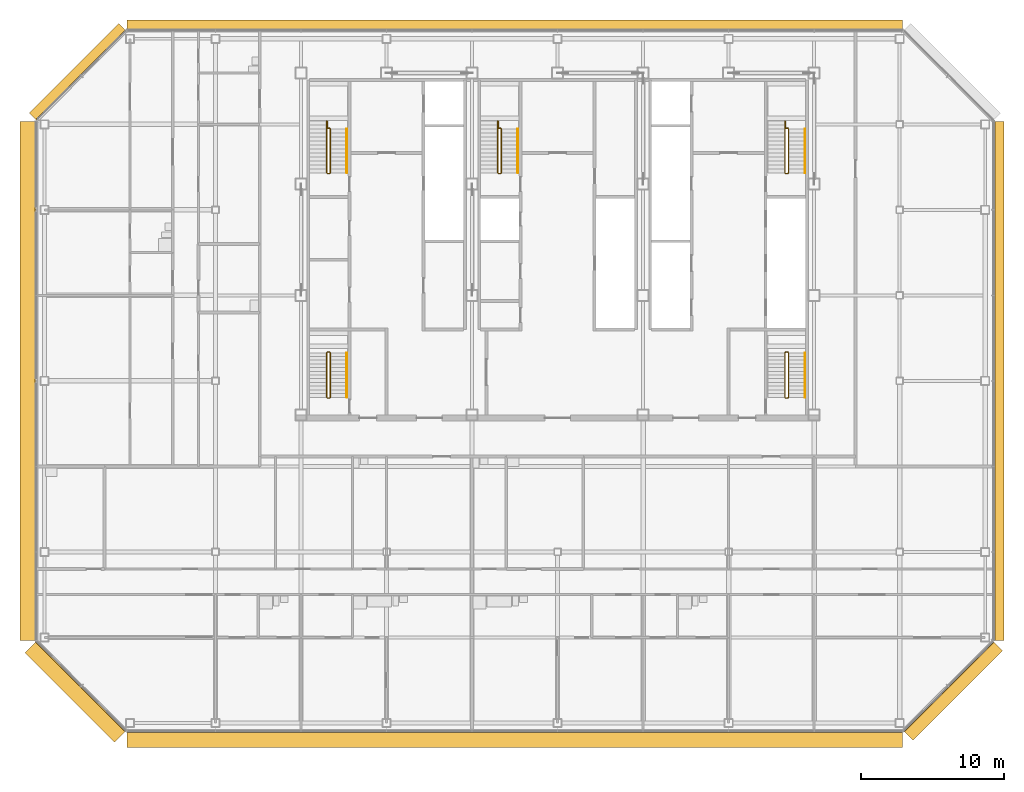
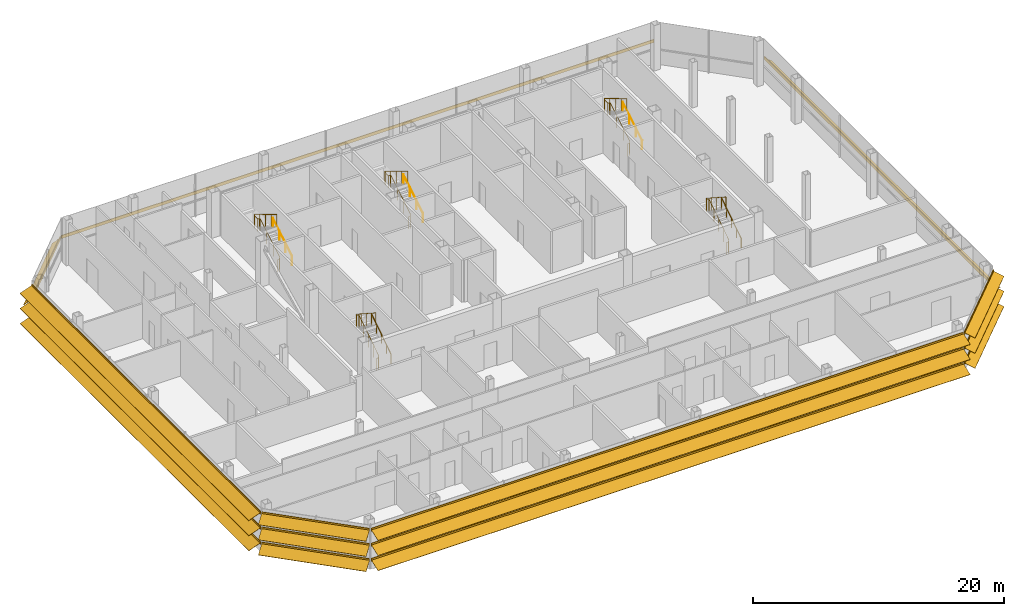
# One storey, part 27 of 29: 10 railings, 7 shading devices.
"""IFC4 building model written with IfcOpenShell, lengths in metres."""

from ifc_helpers import new_model, si_unit, direction, frame, origin, origin_2d, place, context, subcontext, project, spatial, polyline, circle, outline, composite_profile, extrude, material, type_object, element, save


model = new_model("IFC4")

# Units and contexts
model_context = context("Model", 3, precision=1e-05, world=origin(), true_north=direction((0.0, 1.0)))
body_context = subcontext(model_context, "Body", "Model", "MODEL_VIEW")
ifc_project = project(units=[si_unit("LENGTHUNIT", "METRE"), si_unit("AREAUNIT", "SQUARE_METRE"), si_unit("VOLUMEUNIT", "CUBIC_METRE"), si_unit("PLANEANGLEUNIT", "RADIAN"), si_unit("MASSUNIT", "GRAM", prefix="KILO")], contexts=[model_context])

# Site, building, storey
site_placement = place(None, origin())
site = spatial("IfcSite", under=ifc_project, at=site_placement, CompositionType="ELEMENT")
building_placement = place(site_placement, origin())
building = spatial("IfcBuilding", under=site, at=building_placement, Name="Sorahane Residences", CompositionType="ELEMENT")
storey_placement = place(building_placement, frame((0.0, 0.0, 277.39990234375)))
storey = spatial("IfcBuildingStorey", under=building, at=storey_placement, Name="L66", CompositionType="ELEMENT", Elevation=277.39990234375)

# Shading devices
ifc_material_1 = material(Name="Terracotta anodised aluminium", Category="masonry")
shading_device_type_1 = type_object("IfcShadingDeviceType", Name="Louvre sunshade blade E terracotta aluminium 700", PredefinedType="JALOUSIE", material=ifc_material_1)
shading_device_1_placement = place(storey_placement, frame((54.60009765625, 5.801513671875, 2.2001953125), z_axis=(0.0, 1.0, 0.0), x_axis=(-1.0, 0.0, 0.0)))
element("IfcShadingDevice", 1, at=shading_device_1_placement, inside=storey, type_object=shading_device_type_1, Name="Louvre sunshade blade bank E L66 E1", PredefinedType="JALOUSIE", context=body_context, shape_type="SweptSolid", body=[
    extrude(outline(polyline([(-0.719970703125, -0.49365234375), (-0.719970703125, -0.523681640625), (-0.080078125, -0.05859375), (-0.080078125, -0.14990234375), (-0.02001953125, -0.14990234375), (-0.02001953125, -0.014892578125), (-0.02001953125, 0.014892578125), (-0.02001953125, 0.14990234375), (-0.080078125, 0.14990234375), (-0.080078125, -0.028564453125), (-0.719970703125, -0.49365234375)])), origin(), (0.0, 0.0, 1.0), 36.39697265625),
])
ifc_material_2 = material(Name="Terracotta anodised aluminium", Category="masonry")
shading_device_type_2 = type_object("IfcShadingDeviceType", Name="Louvre sunshade blade N terracotta aluminium 700", PredefinedType="JALOUSIE", material=ifc_material_2)
shading_device_2_placement = place(storey_placement, frame((48.198486328125, 48.60009765625, 2.2001953125), z_axis=(-1.0, 0.0, 0.0), x_axis=(0.0, -1.0, 0.0)))
element("IfcShadingDevice", 2, at=shading_device_2_placement, inside=storey, type_object=shading_device_type_2, Name="Louvre sunshade blade bank N L66 N1", PredefinedType="JALOUSIE", context=body_context, shape_type="SweptSolid", body=[
    extrude(outline(polyline([(-0.719970703125, -0.660888671875), (-0.719970703125, -0.69091796875), (-0.080078125, -0.072998046875), (-0.080078125, -0.14990234375), (-0.02001953125, -0.14990234375), (-0.02001953125, -0.014892578125), (-0.02001953125, 0.014892578125), (-0.02001953125, 0.14990234375), (-0.080078125, 0.14990234375), (-0.080078125, -0.04296875), (-0.719970703125, -0.660888671875)])), origin(), (0.0, 0.0, 1.0), 54.39697265625),
])
ifc_material_3 = material(Name="Terracotta anodised aluminium", Category="masonry")
shading_device_type_3 = type_object("IfcShadingDeviceType", Name="Louvre sunshade blade NW terracotta aluminium 700", PredefinedType="JALOUSIE", material=ifc_material_3)
shading_device_3_placement = place(storey_placement, frame((-6.283935546875, 48.564697265625, 2.2001953125), z_axis=(-0.707106781187, -0.707106781187, 0.0), x_axis=(0.707106781187, -0.707106781187, 0.0)))
element("IfcShadingDevice", 3, at=shading_device_3_placement, inside=storey, type_object=shading_device_type_3, Name="Louvre sunshade blade bank NW L66 NW1", PredefinedType="JALOUSIE", context=body_context, shape_type="SweptSolid", body=[
    extrude(outline(polyline([(-0.719970703125, -0.660888671875), (-0.719970703125, -0.69091796875), (-0.080078125, -0.072998046875), (-0.080078125, -0.14990234375), (-0.02001953125, -0.14990234375), (-0.02001953125, -0.014892578125), (-0.02001953125, 0.014892578125), (-0.02001953125, 0.14990234375), (-0.080078125, 0.14990234375), (-0.080078125, -0.04296875), (-0.719970703125, -0.660888671875)])), origin(), (0.0, 0.0, 1.0), 8.88232421875),
])
ifc_material_4 = material(Name="Terracotta anodised aluminium", Category="masonry")
shading_device_type_4 = type_object("IfcShadingDeviceType", Name="Louvre sunshade blade S terracotta aluminium 1100", PredefinedType="JALOUSIE", material=ifc_material_4)
shading_device_4_placement = place(storey_placement, frame((-6.198486328125, -0.60009765625, 0.7333984375), z_axis=(1.0, 0.0, 0.0), x_axis=(0.0, 1.0, 0.0)))
element("IfcShadingDevice", 4, at=shading_device_4_placement, inside=storey, type_object=shading_device_type_4, Name="Louvre sunshade blade bank S L66 S1", PredefinedType="JALOUSIE", context=body_context, shape_type="SweptSolid", body=[
    extrude(composite_profile([outline(polyline([(-1.1201171875, -0.385498046875), (-1.1201171875, -0.415283203125), (-0.080078125, -0.036865234375), (-0.080078125, -0.14990234375), (-0.02001953125, -0.14990234375), (-0.02001953125, -0.014892578125), (-0.02001953125, 0.014892578125), (-0.02001953125, 0.14990234375), (-0.080078125, 0.14990234375), (-0.080078125, -0.0068359375), (-1.1201171875, -0.385498046875)])), outline(polyline([(-1.1201171875, 1.081298828125), (-1.1201171875, 1.05126953125), (-0.080078125, 1.429931640625), (-0.080078125, 1.316650390625), (-0.02001953125, 1.316650390625), (-0.02001953125, 1.45166015625), (-0.02001953125, 1.481689453125), (-0.02001953125, 1.61669921875), (-0.080078125, 1.61669921875), (-0.080078125, 1.4599609375), (-1.1201171875, 1.081298828125)])), outline(polyline([(-1.1201171875, 2.5478515625), (-1.1201171875, 2.517822265625), (-0.080078125, 2.896484375), (-0.080078125, 2.783203125), (-0.02001953125, 2.783203125), (-0.02001953125, 2.918212890625), (-0.02001953125, 2.9482421875), (-0.02001953125, 3.083251953125), (-0.080078125, 3.083251953125), (-0.080078125, 2.926513671875), (-1.1201171875, 2.5478515625)]))]), origin(), (0.0, 0.0, 1.0), 54.39697265625),
])
ifc_material_5 = material(Name="Terracotta anodised aluminium", Category="masonry")
shading_device_type_5 = type_object("IfcShadingDeviceType", Name="Louvre sunshade blade SE terracotta aluminium 900", PredefinedType="JALOUSIE", material=ifc_material_5)
shading_device_5_placement = place(storey_placement, frame((48.283935546875, -0.564697265625, 0.7333984375), z_axis=(0.707106781187, 0.707106781187, 0.0), x_axis=(-0.707106781187, 0.707106781187, 0.0)))
element("IfcShadingDevice", 5, at=shading_device_5_placement, inside=storey, type_object=shading_device_type_5, Name="Louvre sunshade blade bank SE L66 SE1", PredefinedType="JALOUSIE", context=body_context, shape_type="SweptSolid", body=[
    extrude(composite_profile([outline(polyline([(-0.919921875, -0.3486328125), (-0.919921875, -0.378662109375), (-0.080078125, -0.039306640625), (-0.080078125, -0.14990234375), (-0.02001953125, -0.14990234375), (-0.02001953125, -0.014892578125), (-0.02001953125, 0.014892578125), (-0.02001953125, 0.14990234375), (-0.080078125, 0.14990234375), (-0.080078125, -0.00927734375), (-0.919921875, -0.3486328125)])), outline(polyline([(-0.919921875, 1.1181640625), (-0.919921875, 1.088134765625), (-0.080078125, 1.427490234375), (-0.080078125, 1.316650390625), (-0.02001953125, 1.316650390625), (-0.02001953125, 1.45166015625), (-0.02001953125, 1.481689453125), (-0.02001953125, 1.61669921875), (-0.080078125, 1.61669921875), (-0.080078125, 1.45751953125), (-0.919921875, 1.1181640625)])), outline(polyline([(-0.919921875, 2.584716796875), (-0.919921875, 2.5546875), (-0.080078125, 2.89404296875), (-0.080078125, 2.783203125), (-0.02001953125, 2.783203125), (-0.02001953125, 2.918212890625), (-0.02001953125, 2.9482421875), (-0.02001953125, 3.083251953125), (-0.080078125, 3.083251953125), (-0.080078125, 2.924072265625), (-0.919921875, 2.584716796875)]))]), origin(), (0.0, 0.0, 1.0), 8.88232421875),
])
ifc_material_6 = material(Name="Terracotta anodised aluminium", Category="masonry")
shading_device_type_6 = type_object("IfcShadingDeviceType", Name="Louvre sunshade blade SW terracotta aluminium 1100", PredefinedType="JALOUSIE", material=ifc_material_6)
shading_device_6_placement = place(storey_placement, frame((-12.564697265625, 5.716064453125, 0.7333984375), z_axis=(0.707106781187, -0.707106781187, 0.0), x_axis=(0.707106781187, 0.707106781187, 0.0)))
element("IfcShadingDevice", 6, at=shading_device_6_placement, inside=storey, type_object=shading_device_type_6, Name="Louvre sunshade blade bank SW L66 SW1", PredefinedType="JALOUSIE", context=body_context, shape_type="SweptSolid", body=[
    extrude(composite_profile([outline(polyline([(-1.1201171875, -0.385498046875), (-1.1201171875, -0.415283203125), (-0.080078125, -0.036865234375), (-0.080078125, -0.14990234375), (-0.02001953125, -0.14990234375), (-0.02001953125, -0.014892578125), (-0.02001953125, 0.014892578125), (-0.02001953125, 0.14990234375), (-0.080078125, 0.14990234375), (-0.080078125, -0.0068359375), (-1.1201171875, -0.385498046875)])), outline(polyline([(-1.1201171875, 1.081298828125), (-1.1201171875, 1.05126953125), (-0.080078125, 1.429931640625), (-0.080078125, 1.316650390625), (-0.02001953125, 1.316650390625), (-0.02001953125, 1.45166015625), (-0.02001953125, 1.481689453125), (-0.02001953125, 1.61669921875), (-0.080078125, 1.61669921875), (-0.080078125, 1.4599609375), (-1.1201171875, 1.081298828125)])), outline(polyline([(-1.1201171875, 2.5478515625), (-1.1201171875, 2.517822265625), (-0.080078125, 2.896484375), (-0.080078125, 2.783203125), (-0.02001953125, 2.783203125), (-0.02001953125, 2.918212890625), (-0.02001953125, 2.9482421875), (-0.02001953125, 3.083251953125), (-0.080078125, 3.083251953125), (-0.080078125, 2.926513671875), (-1.1201171875, 2.5478515625)]))]), origin(), (0.0, 0.0, 1.0), 8.88232421875),
])
ifc_material_7 = material(Name="Terracotta anodised aluminium", Category="masonry")
shading_device_type_7 = type_object("IfcShadingDeviceType", Name="Louvre sunshade blade W terracotta aluminium 1100", PredefinedType="JALOUSIE", material=ifc_material_7)
shading_device_7_placement = place(storey_placement, frame((-12.60009765625, 42.198486328125, 0.7333984375), z_axis=(0.0, -1.0, 0.0), x_axis=(1.0, 0.0, 0.0)))
element("IfcShadingDevice", 7, at=shading_device_7_placement, inside=storey, type_object=shading_device_type_7, Name="Louvre sunshade blade bank W L66 W1", PredefinedType="JALOUSIE", context=body_context, shape_type="SweptSolid", body=[
    extrude(composite_profile([outline(polyline([(-1.1201171875, -0.385498046875), (-1.1201171875, -0.415283203125), (-0.080078125, -0.036865234375), (-0.080078125, -0.14990234375), (-0.02001953125, -0.14990234375), (-0.02001953125, -0.014892578125), (-0.02001953125, 0.014892578125), (-0.02001953125, 0.14990234375), (-0.080078125, 0.14990234375), (-0.080078125, -0.0068359375), (-1.1201171875, -0.385498046875)])), outline(polyline([(-1.1201171875, 1.081298828125), (-1.1201171875, 1.05126953125), (-0.080078125, 1.429931640625), (-0.080078125, 1.316650390625), (-0.02001953125, 1.316650390625), (-0.02001953125, 1.45166015625), (-0.02001953125, 1.481689453125), (-0.02001953125, 1.61669921875), (-0.080078125, 1.61669921875), (-0.080078125, 1.4599609375), (-1.1201171875, 1.081298828125)])), outline(polyline([(-1.1201171875, 2.5478515625), (-1.1201171875, 2.517822265625), (-0.080078125, 2.896484375), (-0.080078125, 2.783203125), (-0.02001953125, 2.783203125), (-0.02001953125, 2.918212890625), (-0.02001953125, 2.9482421875), (-0.02001953125, 3.083251953125), (-0.080078125, 3.083251953125), (-0.080078125, 2.926513671875), (-1.1201171875, 2.5478515625)]))]), origin(), (0.0, 0.0, 1.0), 36.39697265625),
])

# Railings
ifc_material_8 = material(Name="Steel Q355B", Category="steel")
railing_type_1 = type_object("IfcRailingType", Name="Stair guard 1200 Steel Q355B", PredefinedType="GUARDRAIL", material=ifc_material_8)
railing_1_placement = place(storey_placement, frame((7.85009765625, 38.550048828125, 0.0)))
element("IfcRailing", 8, at=railing_1_placement, inside=storey, type_object=railing_type_1, Name="L66 S1 stair guard 1", PredefinedType="GUARDRAIL", context=body_context, shape_type="SweptSolid", body=[
    extrude(circle(Radius=0.02392578125, at=origin_2d()), frame((0.0, 0.0, 1.17578125), z_axis=(1.0, 0.0, 0.0), x_axis=(0.0, 1.0, 0.0)), (0.0, 0.0, 1.0), 0.14990234375),
    extrude(circle(Radius=0.02392578125, at=origin_2d()), frame((0.14990234375, 0.0, 1.17578125), z_axis=(0.272562526181, 0.272562526181, 0.92272386912), x_axis=(-0.707106781187, 0.707106781187, 0.0)), (0.0, 0.0, 1.0), 0.18359375),
    extrude(circle(Radius=0.02392578125, at=origin_2d()), frame((0.199951171875, 0.050048828125, 1.34521484375), z_axis=(0.0, 0.855842340343, 0.517236781829), x_axis=(-1.0, 0.0, 0.0)), (0.0, 0.0, 1.0), 3.5986328125),
    extrude(circle(Radius=0.02392578125, at=origin_2d()), frame((0.199951171875, 3.1298828125, 3.20654296875), z_axis=(-0.707106781187, 0.707106781187, 0.0), x_axis=(-0.707106781187, -0.707106781187, 0.0)), (0.0, 0.0, 1.0), 0.07080078125),
    extrude(circle(Radius=0.02392578125, at=origin_2d()), frame((0.14990234375, 3.179931640625, 3.20654296875), z_axis=(-1.0, 0.0, 0.0), x_axis=(0.0, -1.0, 0.0)), (0.0, 0.0, 1.0), 0.14990234375),
    extrude(circle(Radius=0.02392578125, at=origin_2d()), frame((0.0, 3.179931640625, 3.20654296875), z_axis=(0.0, 1.0, 0.0), x_axis=(-1.0, 0.0, 0.0)), (0.0, 0.0, 1.0), 0.4599609375),
    extrude(circle(Radius=0.02392578125, at=origin_2d()), frame((0.0, 3.639892578125, 3.20654296875), z_axis=(-0.272562526181, 0.272562526181, 0.92272386912), x_axis=(-0.707106781187, -0.707106781187, 0.0)), (0.0, 0.0, 1.0), 0.18359375),
    extrude(circle(Radius=0.02392578125, at=origin_2d()), frame((-0.050048828125, 3.68994140625, 3.3759765625), z_axis=(0.0, -0.855827133697, 0.517261942568), x_axis=(1.0, 0.0, 0.0)), (0.0, 0.0, 1.0), 4.253173828125),
    extrude(circle(Radius=0.02099609375, at=origin_2d()), origin(), (0.0, 0.0, 1.0), 1.15185546875),
    extrude(circle(Radius=0.02099609375, at=origin_2d()), frame((0.14990234375, 0.0, 0.0)), (0.0, 0.0, 1.0), 1.15185546875),
    extrude(circle(Radius=0.02099609375, at=origin_2d()), frame((0.199951171875, 0.050048828125, 0.16943359375)), (0.0, 0.0, 1.0), 1.15185546875),
    extrude(circle(Radius=0.02099609375, at=origin_2d()), frame((0.199951171875, 1.07666015625, 0.789794921875)), (0.0, 0.0, 1.0), 1.15185546875),
    extrude(circle(Radius=0.02099609375, at=origin_2d()), frame((0.199951171875, 2.103271484375, 1.410400390625)), (0.0, 0.0, 1.0), 1.15185546875),
    extrude(circle(Radius=0.02099609375, at=origin_2d()), frame((0.199951171875, 3.1298828125, 2.03076171875)), (0.0, 0.0, 1.0), 1.15185546875),
    extrude(circle(Radius=0.02099609375, at=origin_2d()), frame((0.14990234375, 3.179931640625, 2.03076171875)), (0.0, 0.0, 1.0), 1.15185546875),
    extrude(circle(Radius=0.02099609375, at=origin_2d()), frame((0.0, 3.179931640625, 2.03076171875)), (0.0, 0.0, 1.0), 1.15185546875),
    extrude(circle(Radius=0.02099609375, at=origin_2d()), frame((0.0, 3.639892578125, 2.03076171875)), (0.0, 0.0, 1.0), 1.15185546875),
    extrude(circle(Radius=0.02099609375, at=origin_2d()), frame((-0.050048828125, 3.68994140625, 2.2001953125)), (0.0, 0.0, 1.0), 1.15185546875),
    extrude(circle(Radius=0.02099609375, at=origin_2d()), frame((-0.050048828125, 2.780029296875, 2.750244140625)), (0.0, 0.0, 1.0), 1.15185546875),
    extrude(circle(Radius=0.02099609375, at=origin_2d()), frame((-0.050048828125, 1.8701171875, 3.30029296875)), (0.0, 0.0, 1.0), 1.15185546875),
    extrude(circle(Radius=0.02099609375, at=origin_2d()), frame((-0.050048828125, 0.9599609375, 3.85009765625)), (0.0, 0.0, 1.0), 1.15185546875),
    extrude(circle(Radius=0.02099609375, at=origin_2d()), frame((-0.050048828125, 0.050048828125, 4.400146484375)), (0.0, 0.0, 1.0), 1.15185546875),
])
railing_2_placement = place(storey_placement, frame((40.0, 38.550048828125, 0.0)))
element("IfcRailing", 9, at=railing_2_placement, inside=storey, type_object=railing_type_1, Name="L66 S2 stair guard 1", PredefinedType="GUARDRAIL", context=body_context, shape_type="SweptSolid", body=[
    extrude(circle(Radius=0.02392578125, at=origin_2d()), frame((0.0, 0.0, 1.17578125), z_axis=(1.0, 0.0, 0.0), x_axis=(0.0, 1.0, 0.0)), (0.0, 0.0, 1.0), 0.14990234375),
    extrude(circle(Radius=0.02392578125, at=origin_2d()), frame((0.14990234375, 0.0, 1.17578125), z_axis=(0.272562526181, 0.272562526181, 0.92272386912), x_axis=(-0.707106781187, 0.707106781187, 0.0)), (0.0, 0.0, 1.0), 0.18359375),
    extrude(circle(Radius=0.02392578125, at=origin_2d()), frame((0.199951171875, 0.050048828125, 1.34521484375), z_axis=(0.0, 0.855842340343, 0.517236781829), x_axis=(-1.0, 0.0, 0.0)), (0.0, 0.0, 1.0), 3.5986328125),
    extrude(circle(Radius=0.02392578125, at=origin_2d()), frame((0.199951171875, 3.1298828125, 3.20654296875), z_axis=(-0.707106781187, 0.707106781187, 0.0), x_axis=(-0.707106781187, -0.707106781187, 0.0)), (0.0, 0.0, 1.0), 0.07080078125),
    extrude(circle(Radius=0.02392578125, at=origin_2d()), frame((0.14990234375, 3.179931640625, 3.20654296875), z_axis=(-1.0, 0.0, 0.0), x_axis=(0.0, -1.0, 0.0)), (0.0, 0.0, 1.0), 0.14990234375),
    extrude(circle(Radius=0.02392578125, at=origin_2d()), frame((0.0, 3.179931640625, 3.20654296875), z_axis=(0.0, 1.0, 0.0), x_axis=(-1.0, 0.0, 0.0)), (0.0, 0.0, 1.0), 0.4599609375),
    extrude(circle(Radius=0.02392578125, at=origin_2d()), frame((0.0, 3.639892578125, 3.20654296875), z_axis=(-0.272562526181, 0.272562526181, 0.92272386912), x_axis=(-0.707106781187, -0.707106781187, 0.0)), (0.0, 0.0, 1.0), 0.18359375),
    extrude(circle(Radius=0.02392578125, at=origin_2d()), frame((-0.050048828125, 3.68994140625, 3.3759765625), z_axis=(0.0, -0.855827133697, 0.517261942568), x_axis=(1.0, 0.0, 0.0)), (0.0, 0.0, 1.0), 4.253173828125),
    extrude(circle(Radius=0.02099609375, at=origin_2d()), origin(), (0.0, 0.0, 1.0), 1.15185546875),
    extrude(circle(Radius=0.02099609375, at=origin_2d()), frame((0.14990234375, 0.0, 0.0)), (0.0, 0.0, 1.0), 1.15185546875),
    extrude(circle(Radius=0.02099609375, at=origin_2d()), frame((0.199951171875, 0.050048828125, 0.16943359375)), (0.0, 0.0, 1.0), 1.15185546875),
    extrude(circle(Radius=0.02099609375, at=origin_2d()), frame((0.199951171875, 1.07666015625, 0.789794921875)), (0.0, 0.0, 1.0), 1.15185546875),
    extrude(circle(Radius=0.02099609375, at=origin_2d()), frame((0.199951171875, 2.103271484375, 1.410400390625)), (0.0, 0.0, 1.0), 1.15185546875),
    extrude(circle(Radius=0.02099609375, at=origin_2d()), frame((0.199951171875, 3.1298828125, 2.03076171875)), (0.0, 0.0, 1.0), 1.15185546875),
    extrude(circle(Radius=0.02099609375, at=origin_2d()), frame((0.14990234375, 3.179931640625, 2.03076171875)), (0.0, 0.0, 1.0), 1.15185546875),
    extrude(circle(Radius=0.02099609375, at=origin_2d()), frame((0.0, 3.179931640625, 2.03076171875)), (0.0, 0.0, 1.0), 1.15185546875),
    extrude(circle(Radius=0.02099609375, at=origin_2d()), frame((0.0, 3.639892578125, 2.03076171875)), (0.0, 0.0, 1.0), 1.15185546875),
    extrude(circle(Radius=0.02099609375, at=origin_2d()), frame((-0.050048828125, 3.68994140625, 2.2001953125)), (0.0, 0.0, 1.0), 1.15185546875),
    extrude(circle(Radius=0.02099609375, at=origin_2d()), frame((-0.050048828125, 2.780029296875, 2.750244140625)), (0.0, 0.0, 1.0), 1.15185546875),
    extrude(circle(Radius=0.02099609375, at=origin_2d()), frame((-0.050048828125, 1.8701171875, 3.30029296875)), (0.0, 0.0, 1.0), 1.15185546875),
    extrude(circle(Radius=0.02099609375, at=origin_2d()), frame((-0.050048828125, 0.9599609375, 3.85009765625)), (0.0, 0.0, 1.0), 1.15185546875),
    extrude(circle(Radius=0.02099609375, at=origin_2d()), frame((-0.050048828125, 0.050048828125, 4.400146484375)), (0.0, 0.0, 1.0), 1.15185546875),
])
railing_3_placement = place(storey_placement, frame((19.85009765625, 38.550048828125, 0.0)))
element("IfcRailing", 10, at=railing_3_placement, inside=storey, type_object=railing_type_1, Name="L66 S3 stair guard 1", PredefinedType="GUARDRAIL", context=body_context, shape_type="SweptSolid", body=[
    extrude(circle(Radius=0.02392578125, at=origin_2d()), frame((0.0, 0.0, 1.17578125), z_axis=(1.0, 0.0, 0.0), x_axis=(0.0, 1.0, 0.0)), (0.0, 0.0, 1.0), 0.14990234375),
    extrude(circle(Radius=0.02392578125, at=origin_2d()), frame((0.14990234375, 0.0, 1.17578125), z_axis=(0.272562526181, 0.272562526181, 0.92272386912), x_axis=(-0.707106781187, 0.707106781187, 0.0)), (0.0, 0.0, 1.0), 0.18359375),
    extrude(circle(Radius=0.02392578125, at=origin_2d()), frame((0.199951171875, 0.050048828125, 1.34521484375), z_axis=(0.0, 0.855842340343, 0.517236781829), x_axis=(-1.0, 0.0, 0.0)), (0.0, 0.0, 1.0), 3.5986328125),
    extrude(circle(Radius=0.02392578125, at=origin_2d()), frame((0.199951171875, 3.1298828125, 3.20654296875), z_axis=(-0.707106781187, 0.707106781187, 0.0), x_axis=(-0.707106781187, -0.707106781187, 0.0)), (0.0, 0.0, 1.0), 0.07080078125),
    extrude(circle(Radius=0.02392578125, at=origin_2d()), frame((0.14990234375, 3.179931640625, 3.20654296875), z_axis=(-1.0, 0.0, 0.0), x_axis=(0.0, -1.0, 0.0)), (0.0, 0.0, 1.0), 0.14990234375),
    extrude(circle(Radius=0.02392578125, at=origin_2d()), frame((0.0, 3.179931640625, 3.20654296875), z_axis=(0.0, 1.0, 0.0), x_axis=(-1.0, 0.0, 0.0)), (0.0, 0.0, 1.0), 0.4599609375),
    extrude(circle(Radius=0.02392578125, at=origin_2d()), frame((0.0, 3.639892578125, 3.20654296875), z_axis=(-0.272562526181, 0.272562526181, 0.92272386912), x_axis=(-0.707106781187, -0.707106781187, 0.0)), (0.0, 0.0, 1.0), 0.18359375),
    extrude(circle(Radius=0.02392578125, at=origin_2d()), frame((-0.050048828125, 3.68994140625, 3.3759765625), z_axis=(0.0, -0.855827133697, 0.517261942568), x_axis=(1.0, 0.0, 0.0)), (0.0, 0.0, 1.0), 4.253173828125),
    extrude(circle(Radius=0.02099609375, at=origin_2d()), origin(), (0.0, 0.0, 1.0), 1.15185546875),
    extrude(circle(Radius=0.02099609375, at=origin_2d()), frame((0.14990234375, 0.0, 0.0)), (0.0, 0.0, 1.0), 1.15185546875),
    extrude(circle(Radius=0.02099609375, at=origin_2d()), frame((0.199951171875, 0.050048828125, 0.16943359375)), (0.0, 0.0, 1.0), 1.15185546875),
    extrude(circle(Radius=0.02099609375, at=origin_2d()), frame((0.199951171875, 1.07666015625, 0.789794921875)), (0.0, 0.0, 1.0), 1.15185546875),
    extrude(circle(Radius=0.02099609375, at=origin_2d()), frame((0.199951171875, 2.103271484375, 1.410400390625)), (0.0, 0.0, 1.0), 1.15185546875),
    extrude(circle(Radius=0.02099609375, at=origin_2d()), frame((0.199951171875, 3.1298828125, 2.03076171875)), (0.0, 0.0, 1.0), 1.15185546875),
    extrude(circle(Radius=0.02099609375, at=origin_2d()), frame((0.14990234375, 3.179931640625, 2.03076171875)), (0.0, 0.0, 1.0), 1.15185546875),
    extrude(circle(Radius=0.02099609375, at=origin_2d()), frame((0.0, 3.179931640625, 2.03076171875)), (0.0, 0.0, 1.0), 1.15185546875),
    extrude(circle(Radius=0.02099609375, at=origin_2d()), frame((0.0, 3.639892578125, 2.03076171875)), (0.0, 0.0, 1.0), 1.15185546875),
    extrude(circle(Radius=0.02099609375, at=origin_2d()), frame((-0.050048828125, 3.68994140625, 2.2001953125)), (0.0, 0.0, 1.0), 1.15185546875),
    extrude(circle(Radius=0.02099609375, at=origin_2d()), frame((-0.050048828125, 2.780029296875, 2.750244140625)), (0.0, 0.0, 1.0), 1.15185546875),
    extrude(circle(Radius=0.02099609375, at=origin_2d()), frame((-0.050048828125, 1.8701171875, 3.30029296875)), (0.0, 0.0, 1.0), 1.15185546875),
    extrude(circle(Radius=0.02099609375, at=origin_2d()), frame((-0.050048828125, 0.9599609375, 3.85009765625)), (0.0, 0.0, 1.0), 1.15185546875),
    extrude(circle(Radius=0.02099609375, at=origin_2d()), frame((-0.050048828125, 0.050048828125, 4.400146484375)), (0.0, 0.0, 1.0), 1.15185546875),
])
railing_4_placement = place(storey_placement, frame((7.85009765625, 22.800048828125, 0.0)))
element("IfcRailing", 11, at=railing_4_placement, inside=storey, type_object=railing_type_1, Name="L66 S4 stair guard 1", PredefinedType="GUARDRAIL", context=body_context, shape_type="SweptSolid", body=[
    extrude(circle(Radius=0.02392578125, at=origin_2d()), frame((0.0, 0.0, 1.17578125), z_axis=(1.0, 0.0, 0.0), x_axis=(0.0, 1.0, 0.0)), (0.0, 0.0, 1.0), 0.14990234375),
    extrude(circle(Radius=0.02392578125, at=origin_2d()), frame((0.14990234375, 0.0, 1.17578125), z_axis=(0.272562526181, 0.272562526181, 0.92272386912), x_axis=(-0.707106781187, 0.707106781187, 0.0)), (0.0, 0.0, 1.0), 0.18359375),
    extrude(circle(Radius=0.02392578125, at=origin_2d()), frame((0.199951171875, 0.050048828125, 1.34521484375), z_axis=(0.0, 0.838094317583, 0.54552535673), x_axis=(-1.0, 0.0, 0.0)), (0.0, 0.0, 1.0), 3.72265625),
    extrude(circle(Radius=0.02392578125, at=origin_2d()), frame((0.199951171875, 3.169921875, 3.3759765625), z_axis=(-0.707106781187, 0.707106781187, 0.0), x_axis=(-0.707106781187, -0.707106781187, 0.0)), (0.0, 0.0, 1.0), 0.07080078125),
    extrude(circle(Radius=0.02392578125, at=origin_2d()), frame((0.14990234375, 3.219970703125, 3.3759765625), z_axis=(-1.0, 0.0, 0.0), x_axis=(0.0, -1.0, 0.0)), (0.0, 0.0, 1.0), 0.14990234375),
    extrude(circle(Radius=0.02392578125, at=origin_2d()), frame((0.0, 3.219970703125, 3.3759765625), z_axis=(-0.272897288611, -0.272897288611, 0.922525956132), x_axis=(0.707106781187, -0.707106781187, 0.0)), (0.0, 0.0, 1.0), 0.183349609375),
    extrude(circle(Radius=0.02392578125, at=origin_2d()), frame((-0.050048828125, 3.169921875, 3.54541015625), z_axis=(0.0, -0.838094317583, 0.54552535673), x_axis=(1.0, 0.0, 0.0)), (0.0, 0.0, 1.0), 3.72265625),
    extrude(circle(Radius=0.02099609375, at=origin_2d()), origin(), (0.0, 0.0, 1.0), 1.15185546875),
    extrude(circle(Radius=0.02099609375, at=origin_2d()), frame((0.14990234375, 0.0, 0.0)), (0.0, 0.0, 1.0), 1.15185546875),
    extrude(circle(Radius=0.02099609375, at=origin_2d()), frame((0.199951171875, 0.050048828125, 0.16943359375)), (0.0, 0.0, 1.0), 1.15185546875),
    extrude(circle(Radius=0.02099609375, at=origin_2d()), frame((0.199951171875, 0.830078125, 0.67724609375)), (0.0, 0.0, 1.0), 1.15185546875),
    extrude(circle(Radius=0.02099609375, at=origin_2d()), frame((0.199951171875, 1.60986328125, 1.184814453125)), (0.0, 0.0, 1.0), 1.15185546875),
    extrude(circle(Radius=0.02099609375, at=origin_2d()), frame((0.199951171875, 2.389892578125, 1.6923828125)), (0.0, 0.0, 1.0), 1.15185546875),
    extrude(circle(Radius=0.02099609375, at=origin_2d()), frame((0.199951171875, 3.169921875, 2.2001953125)), (0.0, 0.0, 1.0), 1.15185546875),
    extrude(circle(Radius=0.02099609375, at=origin_2d()), frame((0.14990234375, 3.219970703125, 2.2001953125)), (0.0, 0.0, 1.0), 1.15185546875),
    extrude(circle(Radius=0.02099609375, at=origin_2d()), frame((0.0, 3.219970703125, 2.2001953125)), (0.0, 0.0, 1.0), 1.15185546875),
    extrude(circle(Radius=0.02099609375, at=origin_2d()), frame((-0.050048828125, 3.169921875, 2.369384765625)), (0.0, 0.0, 1.0), 1.15185546875),
    extrude(circle(Radius=0.02099609375, at=origin_2d()), frame((-0.050048828125, 2.389892578125, 2.876953125)), (0.0, 0.0, 1.0), 1.15185546875),
    extrude(circle(Radius=0.02099609375, at=origin_2d()), frame((-0.050048828125, 1.60986328125, 3.384765625)), (0.0, 0.0, 1.0), 1.15185546875),
    extrude(circle(Radius=0.02099609375, at=origin_2d()), frame((-0.050048828125, 0.830078125, 3.892578125)), (0.0, 0.0, 1.0), 1.15185546875),
    extrude(circle(Radius=0.02099609375, at=origin_2d()), frame((-0.050048828125, 0.050048828125, 4.400146484375)), (0.0, 0.0, 1.0), 1.15185546875),
])
railing_5_placement = place(storey_placement, frame((40.0, 22.800048828125, 0.0)))
element("IfcRailing", 12, at=railing_5_placement, inside=storey, type_object=railing_type_1, Name="L66 S5 stair guard 1", PredefinedType="GUARDRAIL", context=body_context, shape_type="SweptSolid", body=[
    extrude(circle(Radius=0.02392578125, at=origin_2d()), frame((0.0, 0.0, 1.17578125), z_axis=(1.0, 0.0, 0.0), x_axis=(0.0, 1.0, 0.0)), (0.0, 0.0, 1.0), 0.14990234375),
    extrude(circle(Radius=0.02392578125, at=origin_2d()), frame((0.14990234375, 0.0, 1.17578125), z_axis=(0.272562526181, 0.272562526181, 0.92272386912), x_axis=(-0.707106781187, 0.707106781187, 0.0)), (0.0, 0.0, 1.0), 0.18359375),
    extrude(circle(Radius=0.02392578125, at=origin_2d()), frame((0.199951171875, 0.050048828125, 1.34521484375), z_axis=(0.0, 0.838094317583, 0.54552535673), x_axis=(-1.0, 0.0, 0.0)), (0.0, 0.0, 1.0), 3.72265625),
    extrude(circle(Radius=0.02392578125, at=origin_2d()), frame((0.199951171875, 3.169921875, 3.3759765625), z_axis=(-0.707106781187, 0.707106781187, 0.0), x_axis=(-0.707106781187, -0.707106781187, 0.0)), (0.0, 0.0, 1.0), 0.07080078125),
    extrude(circle(Radius=0.02392578125, at=origin_2d()), frame((0.14990234375, 3.219970703125, 3.3759765625), z_axis=(-1.0, 0.0, 0.0), x_axis=(0.0, -1.0, 0.0)), (0.0, 0.0, 1.0), 0.14990234375),
    extrude(circle(Radius=0.02392578125, at=origin_2d()), frame((0.0, 3.219970703125, 3.3759765625), z_axis=(-0.272897288611, -0.272897288611, 0.922525956132), x_axis=(0.707106781187, -0.707106781187, 0.0)), (0.0, 0.0, 1.0), 0.183349609375),
    extrude(circle(Radius=0.02392578125, at=origin_2d()), frame((-0.050048828125, 3.169921875, 3.54541015625), z_axis=(0.0, -0.838094317583, 0.54552535673), x_axis=(1.0, 0.0, 0.0)), (0.0, 0.0, 1.0), 3.72265625),
    extrude(circle(Radius=0.02099609375, at=origin_2d()), origin(), (0.0, 0.0, 1.0), 1.15185546875),
    extrude(circle(Radius=0.02099609375, at=origin_2d()), frame((0.14990234375, 0.0, 0.0)), (0.0, 0.0, 1.0), 1.15185546875),
    extrude(circle(Radius=0.02099609375, at=origin_2d()), frame((0.199951171875, 0.050048828125, 0.16943359375)), (0.0, 0.0, 1.0), 1.15185546875),
    extrude(circle(Radius=0.02099609375, at=origin_2d()), frame((0.199951171875, 0.830078125, 0.67724609375)), (0.0, 0.0, 1.0), 1.15185546875),
    extrude(circle(Radius=0.02099609375, at=origin_2d()), frame((0.199951171875, 1.60986328125, 1.184814453125)), (0.0, 0.0, 1.0), 1.15185546875),
    extrude(circle(Radius=0.02099609375, at=origin_2d()), frame((0.199951171875, 2.389892578125, 1.6923828125)), (0.0, 0.0, 1.0), 1.15185546875),
    extrude(circle(Radius=0.02099609375, at=origin_2d()), frame((0.199951171875, 3.169921875, 2.2001953125)), (0.0, 0.0, 1.0), 1.15185546875),
    extrude(circle(Radius=0.02099609375, at=origin_2d()), frame((0.14990234375, 3.219970703125, 2.2001953125)), (0.0, 0.0, 1.0), 1.15185546875),
    extrude(circle(Radius=0.02099609375, at=origin_2d()), frame((0.0, 3.219970703125, 2.2001953125)), (0.0, 0.0, 1.0), 1.15185546875),
    extrude(circle(Radius=0.02099609375, at=origin_2d()), frame((-0.050048828125, 3.169921875, 2.369384765625)), (0.0, 0.0, 1.0), 1.15185546875),
    extrude(circle(Radius=0.02099609375, at=origin_2d()), frame((-0.050048828125, 2.389892578125, 2.876953125)), (0.0, 0.0, 1.0), 1.15185546875),
    extrude(circle(Radius=0.02099609375, at=origin_2d()), frame((-0.050048828125, 1.60986328125, 3.384765625)), (0.0, 0.0, 1.0), 1.15185546875),
    extrude(circle(Radius=0.02099609375, at=origin_2d()), frame((-0.050048828125, 0.830078125, 3.892578125)), (0.0, 0.0, 1.0), 1.15185546875),
    extrude(circle(Radius=0.02099609375, at=origin_2d()), frame((-0.050048828125, 0.050048828125, 4.400146484375)), (0.0, 0.0, 1.0), 1.15185546875),
])
ifc_material_9 = material(Name="Steel Q355B", Category="steel")
railing_type_2 = type_object("IfcRailingType", Name="Stair handrail 900 Steel Q355B", PredefinedType="HANDRAIL", material=ifc_material_9)
for number, where, name in (
    (13, (9.199951171875, 38.60009765625, 0.16943359375), "L66 S1 stair handrail 1"),
    (14, (41.35009765625, 38.60009765625, 0.16943359375), "L66 S2 stair handrail 1"),
    (15, (21.199951171875, 38.60009765625, 0.16943359375), "L66 S3 stair handrail 1"),
):
    element("IfcRailing", number, at=place(storey_placement, frame(where)), inside=storey, type_object=railing_type_2, Name=name, PredefinedType="HANDRAIL", context=body_context, shape_type="SweptSolid", body=[
        extrude(circle(Radius=0.02392578125, at=origin_2d()), frame((0.0, 0.0, 0.8759765625), z_axis=(0.0, 0.855842340343, 0.517236781829), x_axis=(-1.0, 0.0, 0.0)), (0.0, 0.0, 1.0), 3.5986328125),
        extrude(circle(Radius=0.02099609375, at=origin_2d()), origin(), (0.0, 0.0, 1.0), 0.851806640625),
        extrude(circle(Radius=0.02099609375, at=origin_2d()), frame((0.0, 1.026611328125, 0.620361328125)), (0.0, 0.0, 1.0), 0.851806640625),
        extrude(circle(Radius=0.02099609375, at=origin_2d()), frame((0.0, 2.05322265625, 1.240966796875)), (0.0, 0.0, 1.0), 0.851806640625),
        extrude(circle(Radius=0.02099609375, at=origin_2d()), frame((0.0, 3.079833984375, 1.861328125)), (0.0, 0.0, 1.0), 0.851806640625),
    ])
for number, where, name in (
    (16, (9.199951171875, 22.85009765625, 0.16943359375), "L66 S4 stair handrail 1"),
    (17, (41.35009765625, 22.85009765625, 0.16943359375), "L66 S5 stair handrail 1"),
):
    element("IfcRailing", number, at=place(storey_placement, frame(where)), inside=storey, type_object=railing_type_2, Name=name, PredefinedType="HANDRAIL", context=body_context, shape_type="SweptSolid", body=[
        extrude(circle(Radius=0.02392578125, at=origin_2d()), frame((0.0, 0.0, 0.8759765625), z_axis=(0.0, 0.838094317583, 0.54552535673), x_axis=(-1.0, 0.0, 0.0)), (0.0, 0.0, 1.0), 3.72265625),
        extrude(circle(Radius=0.02099609375, at=origin_2d()), origin(), (0.0, 0.0, 1.0), 0.851806640625),
        extrude(circle(Radius=0.02099609375, at=origin_2d()), frame((0.0, 0.780029296875, 0.5078125)), (0.0, 0.0, 1.0), 0.851806640625),
        extrude(circle(Radius=0.02099609375, at=origin_2d()), frame((0.0, 1.56005859375, 1.015380859375)), (0.0, 0.0, 1.0), 0.851806640625),
        extrude(circle(Radius=0.02099609375, at=origin_2d()), frame((0.0, 2.33984375, 1.52294921875)), (0.0, 0.0, 1.0), 0.851806640625),
        extrude(circle(Radius=0.02099609375, at=origin_2d()), frame((0.0, 3.119873046875, 2.03076171875)), (0.0, 0.0, 1.0), 0.851806640625),
    ])

save(model, "model.ifc")
